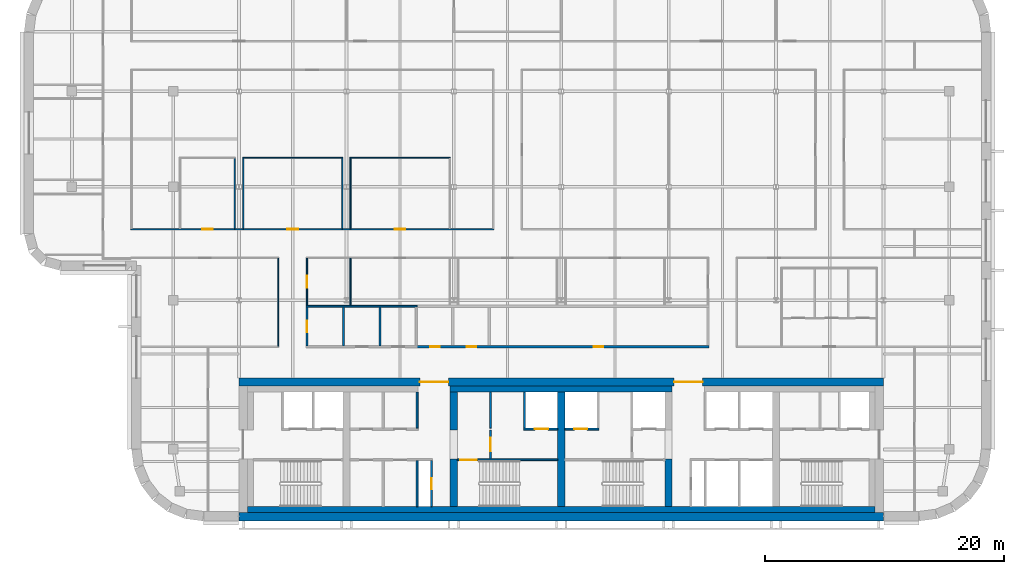
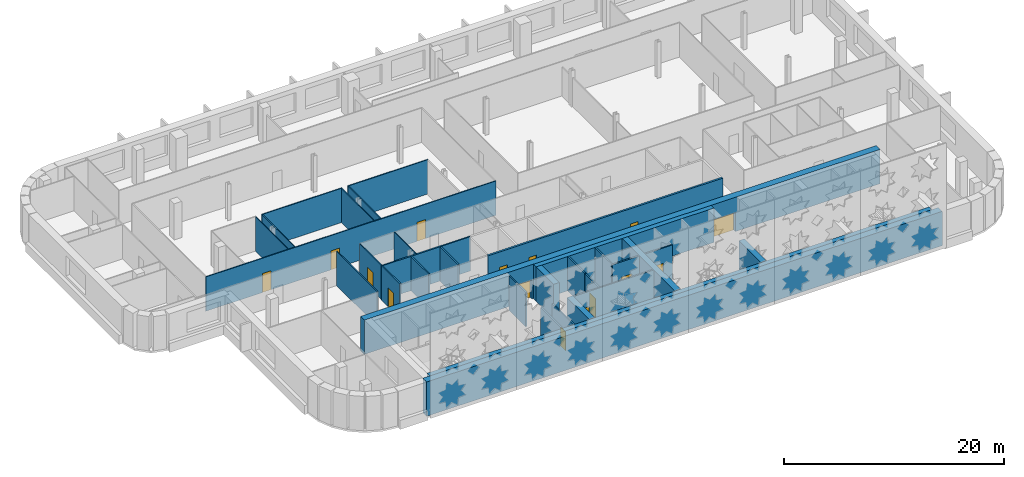
# One storey, part 8 of 18: 32 walls, 15 doors, 15 openings.
"""IFC4 building model written with IfcOpenShell, lengths in metres."""

from ifc_helpers import new_model, si_unit, direction, frame, frame_2d, origin, place, context, subcontext, project, spatial, rectangle, extrude, material, layer, layer_set, type_object, element, fill, save


model = new_model("IFC4")

# Units and contexts
model_context = context("Model", 3, precision=1e-05, world=origin(), true_north=direction((0.0, 1.0)))
body_context = subcontext(model_context, "Body", "Model", "MODEL_VIEW")
ifc_project = project(units=[si_unit("LENGTHUNIT", "METRE"), si_unit("AREAUNIT", "SQUARE_METRE"), si_unit("VOLUMEUNIT", "CUBIC_METRE"), si_unit("PLANEANGLEUNIT", "RADIAN"), si_unit("MASSUNIT", "GRAM", prefix="KILO")], contexts=[model_context])

# Site, building, storey
site_placement = place(None, origin())
site = spatial("IfcSite", under=ifc_project, at=site_placement, CompositionType="ELEMENT")
building_placement = place(site_placement, origin())
building = spatial("IfcBuilding", under=site, at=building_placement, Name="Zellij Exchange Tower", CompositionType="ELEMENT")
storey_placement = place(building_placement, frame((0.0, 0.0, 228.5)))
storey = spatial("IfcBuildingStorey", under=building, at=storey_placement, Name="L53", CompositionType="ELEMENT", Elevation=228.5)

# Walls
ifc_material_1 = material(Name="Concrete C50/60", Category="concrete")
ifc_layer_1 = layer(ifc_material_1, 0.60009765625)
ifc_layer_set_1 = layer_set([ifc_layer_1], Name="Concrete C50/60")
wall_type_1 = type_object("IfcWallType", Name="CORE-CW 600 C50/60", PredefinedType="SHEAR", material=ifc_layer_set_1)
wall_1_placement = place(storey_placement, frame((-9.0, -12.800048828125, 0.0), z_axis=(0.0, 0.0, 1.0), x_axis=(0.0, 1.0, 0.0)))
element("IfcWall", 1, at=wall_1_placement, inside=storey, type_object=wall_type_1, Name="Core cross wall pier x -9 a L53", PredefinedType="SHEAR", context=body_context, shape_type="SweptSolid", body=[
    extrude(rectangle(XDim=4.0, YDim=0.60009765625, at=frame_2d((2.0, 0.0))), origin(), (0.0, 0.0, 1.0), 3.800048828125),
])
wall_2_placement = place(storey_placement, frame((-9.0, -6.375, 0.0), z_axis=(0.0, 0.0, 1.0), x_axis=(0.0, 1.0, 0.0)))
element("IfcWall", 2, at=wall_2_placement, inside=storey, type_object=wall_type_1, Name="Core cross wall pier x -9 b L53", PredefinedType="SHEAR", context=body_context, shape_type="SweptSolid", body=[
    extrude(rectangle(XDim=3.175048828125, YDim=0.60009765625, at=frame_2d((1.58740234375, 0.0))), origin(), (0.0, 0.0, 1.0), 3.800048828125),
])
wall_3_placement = place(storey_placement, frame((0.0, -12.800048828125, 0.0), z_axis=(0.0, 0.0, 1.0), x_axis=(0.0, 1.0, 0.0)))
element("IfcWall", 3, at=wall_3_placement, inside=storey, type_object=wall_type_1, Name="Core cross wall x 0 L53", PredefinedType="SHEAR", context=body_context, shape_type="SweptSolid", body=[
    extrude(rectangle(XDim=9.60009765625, YDim=0.60009765625, at=frame_2d((4.800048828125, 0.0))), origin(), (0.0, 0.0, 1.0), 3.800048828125),
])
wall_4_placement = place(storey_placement, frame((9.0, -12.800048828125, 0.0), z_axis=(0.0, 0.0, 1.0), x_axis=(0.0, 1.0, 0.0)))
element("IfcWall", 4, at=wall_4_placement, inside=storey, type_object=wall_type_1, Name="Core cross wall pier x 9 a L53", PredefinedType="SHEAR", context=body_context, shape_type="SweptSolid", body=[
    extrude(rectangle(XDim=4.0, YDim=0.60009765625, at=frame_2d((2.0, 0.0))), origin(), (0.0, 0.0, 1.0), 3.800048828125),
])
ifc_material_2 = material(Name="Concrete C30/37", Category="concrete")
ifc_layer_2 = layer(ifc_material_2, 0.5)
ifc_layer_set_2 = layer_set([ifc_layer_2], Name="Concrete C30/37")
wall_type_2 = type_object("IfcWallType", Name="CORE-LW 500 C30/37", PredefinedType="SHEAR", material=ifc_layer_set_2)
wall_5_placement = place(storey_placement, frame((-9.300048828125, -2.949951171875, 0.0), z_axis=(0.0, 0.0, 1.0), x_axis=(1.0, 0.0, 0.0)))
element("IfcWall", 5, at=wall_5_placement, inside=storey, type_object=wall_type_2, Name="Core wall lining front.1 L53", PredefinedType="SHEAR", context=body_context, shape_type="SweptSolid", body=[
    extrude(rectangle(XDim=18.60009765625, YDim=0.5, at=frame_2d((9.300048828125, 0.0))), origin(), (0.0, 0.0, 1.0), 3.800048828125),
])
wall_6_placement = place(storey_placement, frame((-26.300048828125, -13.050048828125, 0.0), z_axis=(0.0, 0.0, 1.0), x_axis=(1.0, 0.0, 0.0)))
element("IfcWall", 6, at=wall_6_placement, inside=storey, type_object=wall_type_2, Name="Core wall lining rear.0 L53", PredefinedType="SHEAR", context=body_context, shape_type="SweptSolid", body=[
    extrude(rectangle(XDim=52.60009765625, YDim=0.5, at=frame_2d((26.300048828125, 0.0))), origin(), (0.0, 0.0, 1.0), 3.800048828125),
])

# Wall, opening, door
ifc_material_3 = material(Name="Gypsum shaft wall system")
ifc_layer_3 = layer(ifc_material_3, 0.14990234375)
ifc_layer_set_3 = layer_set([ifc_layer_3], Name="Gypsum shaft wall system")
wall_type_3 = type_object("IfcWallType", Name="CORE-PW 150 Firefighting lobby wall", PredefinedType="PARTITIONING", material=ifc_layer_set_3)
wall_7_placement = place(storey_placement, frame((-5.925048828125, -8.800048828125, 0.0), z_axis=(0.0, 0.0, 1.0), x_axis=(0.0, 1.0, 0.0)))
wall_7 = element("IfcWall", 7, at=wall_7_placement, inside=storey, type_object=wall_type_3, Name="Firefighting lobby wall L53", PredefinedType="PARTITIONING", context=body_context, shape_type="SweptSolid", body=[
    extrude(rectangle(XDim=2.425048828125, YDim=0.14990234375, at=frame_2d((1.21240234375, 0.0))), origin(), (0.0, 0.0, 1.0), 3.800048828125),
])
opening_1_placement = place(wall_7_placement, frame((0.662109375, 0.0, 0.0)))
opening_1 = element("IfcOpeningElement", 8, at=opening_1_placement, cuts=wall_7, Name="Opening CA-28.12", PredefinedType="OPENING", context=body_context, shape_type="SweptSolid", body=[
    extrude(rectangle(XDim=1.10009765625, YDim=2.10009765625, at=frame_2d((0.550048828125, 1.050048828125))), frame((0.0, 0.0869140625, 0.0), z_axis=(0.0, -1.0, 0.0), x_axis=(1.0, 0.0, 0.0)), (0.0, 0.0, 1.0), 0.173828125),
])
ifc_material_4 = material(Name="Hollow metal fire door")
door_type_1 = type_object("IfcDoorType", Name="CORE-D F Firefighting lobby door 1100x2100 1 HR", OperationType="NOTDEFINED", PredefinedType="DOOR", material=ifc_material_4)
door_1_placement = place(opening_1_placement, origin())
door_1 = element("IfcDoor", 9, at=door_1_placement, inside=storey, type_object=door_type_1, Name="Firefighting lobby door CA-28.12", OperationType="SINGLE_SWING_LEFT", OverallHeight=2.10009765625, OverallWidth=1.10009765625, PredefinedType="DOOR", context=body_context, shape_type="SweptSolid", body=[
    extrude(rectangle(XDim=1.10009765625, YDim=2.10009765625, at=frame_2d((0.550048828125, 1.050048828125))), frame((0.0, 0.02490234375, 0.0), z_axis=(0.0, -1.0, 0.0), x_axis=(1.0, 0.0, 0.0)), (0.0, 0.0, 1.0), 0.050048828125),
])
fill(opening_1, door_1)

# Walls
ifc_material_5 = material(Name="Gypsum board partition")
ifc_layer_4 = layer(ifc_material_5, 0.14990234375)
ifc_layer_set_4 = layer_set([ifc_layer_4], Name="Gypsum board partition")
wall_type_4 = type_object("IfcWallType", Name="CORE-PW 150 Lift lobby wall", PredefinedType="PARTITIONING", material=ifc_layer_set_4)
for number, where, z_axis, x_axis, name in (
    (10, (-12.074951171875, -6.22509765625, 0.0), (0.0, 0.0, 1.0), (0.0, 1.0, 0.0), "Lift lobby wall L53"),
    (11, (-5.925048828125, -6.22509765625, 0.0), (0.0, 0.0, 1.0), (0.0, 1.0, 0.0), "Lift lobby wall L53"),
):
    element("IfcWall", number, at=place(storey_placement, frame(where, z_axis=z_axis, x_axis=x_axis)), inside=storey, type_object=wall_type_4, Name=name, PredefinedType="PARTITIONING", context=body_context, shape_type="SweptSolid", body=[
        extrude(rectangle(XDim=3.025146484375, YDim=0.14990234375, at=frame_2d((1.5126953125, 0.0))), origin(), (0.0, 0.0, 1.0), 3.800048828125),
    ])

# Wall, opening, door
wall_8_placement = place(storey_placement, frame((-10.875, -12.800048828125, 0.0), z_axis=(0.0, 0.0, 1.0), x_axis=(0.0, 1.0, 0.0)))
wall_8 = element("IfcWall", 12, at=wall_8_placement, inside=storey, type_object=wall_type_4, Name="Lift lobby wall L53", PredefinedType="PARTITIONING", context=body_context, shape_type="SweptSolid", body=[
    extrude(rectangle(XDim=3.85009765625, YDim=0.14990234375, at=frame_2d((1.925048828125, 0.0))), origin(), (0.0, 0.0, 1.0), 3.800048828125),
])
opening_2_placement = place(wall_8_placement, frame((1.47509765625, 0.0, 0.0)))
opening_2 = element("IfcOpeningElement", 13, at=opening_2_placement, cuts=wall_8, Name="Opening CA-28.09", PredefinedType="OPENING", context=body_context, shape_type="SweptSolid", body=[
    extrude(rectangle(XDim=0.89990234375, YDim=2.10009765625, at=frame_2d((0.449951171875, 1.050048828125))), frame((0.0, 0.0869140625, 0.0), z_axis=(0.0, -1.0, 0.0), x_axis=(1.0, 0.0, 0.0)), (0.0, 0.0, 1.0), 0.173828125),
])
door_type_2 = type_object("IfcDoorType", Name="CORE-D RD Riser door 900x2100 1.5 HR", OperationType="NOTDEFINED", PredefinedType="DOOR", material=ifc_material_4)
door_2_placement = place(opening_2_placement, origin())
door_2 = element("IfcDoor", 14, at=door_2_placement, inside=storey, type_object=door_type_2, Name="Riser door CA-28.09", OperationType="SINGLE_SWING_RIGHT", OverallHeight=2.10009765625, OverallWidth=0.89990234375, PredefinedType="DOOR", context=body_context, shape_type="SweptSolid", body=[
    extrude(rectangle(XDim=0.89990234375, YDim=2.10009765625, at=frame_2d((0.449951171875, 1.050048828125))), frame((0.0, 0.02490234375, 0.0), z_axis=(0.0, -1.0, 0.0), x_axis=(1.0, 0.0, 0.0)), (0.0, 0.0, 1.0), 0.050048828125),
])
fill(opening_2, door_2)

# Walls
wall_9_placement = place(storey_placement, frame((-12.074951171875, -12.800048828125, 0.0), z_axis=(0.0, 0.0, 1.0), x_axis=(0.0, 1.0, 0.0)))
element("IfcWall", 15, at=wall_9_placement, inside=storey, type_object=wall_type_4, Name="Lift lobby wall L53", PredefinedType="PARTITIONING", context=body_context, shape_type="SweptSolid", body=[
    extrude(rectangle(XDim=3.85009765625, YDim=0.14990234375, at=frame_2d((1.925048828125, 0.0))), origin(), (0.0, 0.0, 1.0), 3.800048828125),
])
ifc_layer_5 = layer(ifc_material_3, 0.14990234375)
ifc_layer_set_5 = layer_set([ifc_layer_5], Name="Gypsum shaft wall system")
wall_type_5 = type_object("IfcWallType", Name="CORE-PW 150 Lift shaft wall", PredefinedType="PARTITIONING", material=ifc_layer_set_5)
wall_10_placement = place(storey_placement, frame((-3.074951171875, -6.22509765625, 0.0), z_axis=(0.0, 0.0, 1.0), x_axis=(0.0, 1.0, 0.0)))
element("IfcWall", 16, at=wall_10_placement, inside=storey, type_object=wall_type_5, Name="Lift shaft wall L53", PredefinedType="PARTITIONING", context=body_context, shape_type="SweptSolid", body=[
    extrude(rectangle(XDim=3.025146484375, YDim=0.14990234375, at=frame_2d((1.5126953125, 0.0))), origin(), (0.0, 0.0, 1.0), 3.800048828125),
])

# Wall, opening, door
wall_11_placement = place(storey_placement, frame((-3.14990234375, -6.300048828125, 0.0), z_axis=(0.0, 0.0, 1.0), x_axis=(1.0, 0.0, 0.0)))
wall_11 = element("IfcWall", 17, at=wall_11_placement, inside=storey, type_object=wall_type_5, Name="Lift shaft wall L53", PredefinedType="PARTITIONING", context=body_context, shape_type="SweptSolid", body=[
    extrude(rectangle(XDim=2.849853515625, YDim=0.14990234375, at=frame_2d((1.4248046875, 0.0))), origin(), (0.0, 0.0, 1.0), 3.800048828125),
])
opening_3_placement = place(wall_11_placement, frame((0.949951171875, 0.0, 0.0)))
opening_3 = element("IfcOpeningElement", 18, at=opening_3_placement, cuts=wall_11, Name="Opening CA-28.13", PredefinedType="OPENING", context=body_context, shape_type="SweptSolid", body=[
    extrude(rectangle(XDim=1.10009765625, YDim=2.10009765625, at=frame_2d((0.550048828125, 1.050048828125))), frame((0.0, 0.0869140625, 0.0), z_axis=(0.0, -1.0, 0.0), x_axis=(1.0, 0.0, 0.0)), (0.0, 0.0, 1.0), 0.173828125),
])
door_type_3 = type_object("IfcDoorType", Name="CORE-D LD Lift landing door 1100x2100 1.5 HR", OperationType="NOTDEFINED", PredefinedType="DOOR", material=ifc_material_4)
door_3_placement = place(opening_3_placement, origin())
door_3 = element("IfcDoor", 19, at=door_3_placement, inside=storey, type_object=door_type_3, Name="Lift landing door CA-28.13", OperationType="SLIDING_TO_LEFT", OverallHeight=2.10009765625, OverallWidth=1.10009765625, PredefinedType="DOOR", context=body_context, shape_type="SweptSolid", body=[
    extrude(rectangle(XDim=1.10009765625, YDim=2.10009765625, at=frame_2d((0.550048828125, 1.050048828125))), frame((0.0, 0.02490234375, 0.0), z_axis=(0.0, -1.0, 0.0), x_axis=(1.0, 0.0, 0.0)), (0.0, 0.0, 1.0), 0.050048828125),
])
fill(opening_3, door_3)

wall_12_placement = place(storey_placement, frame((0.300048828125, -6.300048828125, 0.0), z_axis=(0.0, 0.0, 1.0), x_axis=(1.0, 0.0, 0.0)))
wall_12 = element("IfcWall", 20, at=wall_12_placement, inside=storey, type_object=wall_type_5, Name="Lift shaft wall L53", PredefinedType="PARTITIONING", context=body_context, shape_type="SweptSolid", body=[
    extrude(rectangle(XDim=2.849853515625, YDim=0.14990234375, at=frame_2d((1.4248046875, 0.0))), origin(), (0.0, 0.0, 1.0), 3.800048828125),
])
opening_4_placement = place(wall_12_placement, frame((0.800048828125, 0.0, 0.0)))
opening_4 = element("IfcOpeningElement", 21, at=opening_4_placement, cuts=wall_12, Name="Opening CA-28.14", PredefinedType="OPENING", context=body_context, shape_type="SweptSolid", body=[
    extrude(rectangle(XDim=1.10009765625, YDim=2.10009765625, at=frame_2d((0.550048828125, 1.050048828125))), frame((0.0, 0.0869140625, 0.0), z_axis=(0.0, -1.0, 0.0), x_axis=(1.0, 0.0, 0.0)), (0.0, 0.0, 1.0), 0.173828125),
])
door_4_placement = place(opening_4_placement, origin())
door_4 = element("IfcDoor", 22, at=door_4_placement, inside=storey, type_object=door_type_3, Name="Lift landing door CA-28.14", OperationType="SLIDING_TO_RIGHT", OverallHeight=2.10009765625, OverallWidth=1.10009765625, PredefinedType="DOOR", context=body_context, shape_type="SweptSolid", body=[
    extrude(rectangle(XDim=1.10009765625, YDim=2.10009765625, at=frame_2d((0.550048828125, 1.050048828125))), frame((0.0, 0.02490234375, 0.0), z_axis=(0.0, -1.0, 0.0), x_axis=(1.0, 0.0, 0.0)), (0.0, 0.0, 1.0), 0.050048828125),
])
fill(opening_4, door_4)

# Wall, openings, doors
ifc_layer_6 = layer(ifc_material_1, 0.699951171875)
ifc_layer_set_6 = layer_set([ifc_layer_6], Name="Concrete C50/60")
wall_type_6 = type_object("IfcWallType", Name="CORE-SW 700 C50/60", PredefinedType="SHEAR", material=ifc_layer_set_6)
wall_13_placement = place(storey_placement, frame((-27.0, -2.35009765625, 0.0), z_axis=(0.0, 0.0, 1.0), x_axis=(1.0, 0.0, 0.0)))
wall_13 = element("IfcWall", 23, at=wall_13_placement, inside=storey, type_object=wall_type_6, Name="Core shear wall front L53", PredefinedType="SHEAR", context=body_context, shape_type="SweptSolid", body=[
    extrude(rectangle(XDim=54.0, YDim=0.699951171875, at=frame_2d((27.0, 0.0))), origin(), (0.0, 0.0, 1.0), 3.800048828125),
])
opening_5_placement = place(wall_13_placement, frame((15.14990234375, 0.0, 0.0)))
opening_5 = element("IfcOpeningElement", 24, at=opening_5_placement, cuts=wall_13, Name="Opening CA-28.10", PredefinedType="OPENING", context=body_context, shape_type="SweptSolid", body=[
    extrude(rectangle(XDim=2.39990234375, YDim=2.10009765625, at=frame_2d((1.199951171875, 1.050048828125))), frame((0.0, 0.36181640625, 0.0), z_axis=(0.0, -1.0, 0.0), x_axis=(1.0, 0.0, 0.0)), (0.0, 0.0, 1.0), 0.723876953125),
])
opening_6_placement = place(wall_13_placement, frame((36.449951171875, 0.0, 0.0)))
opening_6 = element("IfcOpeningElement", 25, at=opening_6_placement, cuts=wall_13, Name="Opening CA-28.18", PredefinedType="OPENING", context=body_context, shape_type="SweptSolid", body=[
    extrude(rectangle(XDim=2.39990234375, YDim=2.10009765625, at=frame_2d((1.199951171875, 1.050048828125))), frame((0.0, 0.36181640625, 0.0), z_axis=(0.0, -1.0, 0.0), x_axis=(1.0, 0.0, 0.0)), (0.0, 0.0, 1.0), 0.723876953125),
])
door_type_4 = type_object("IfcDoorType", Name="CORE-D CE Core entrance door 2400x2100 20 MIN", OperationType="NOTDEFINED", PredefinedType="DOOR", material=ifc_material_4)
door_5_placement = place(opening_5_placement, origin())
door_5 = element("IfcDoor", 26, at=door_5_placement, inside=storey, type_object=door_type_4, Name="Core entrance door CA-28.10", OperationType="DOUBLE_DOOR_SINGLE_SWING", OverallHeight=2.10009765625, OverallWidth=2.39990234375, PredefinedType="DOOR", context=body_context, shape_type="SweptSolid", body=[
    extrude(rectangle(XDim=2.39990234375, YDim=2.10009765625, at=frame_2d((1.199951171875, 1.050048828125))), frame((0.0, 0.02490234375, 0.0), z_axis=(0.0, -1.0, 0.0), x_axis=(1.0, 0.0, 0.0)), (0.0, 0.0, 1.0), 0.050048828125),
])
fill(opening_5, door_5)
door_6_placement = place(opening_6_placement, origin())
door_6 = element("IfcDoor", 27, at=door_6_placement, inside=storey, type_object=door_type_4, Name="Core entrance door CA-28.18", OperationType="DOUBLE_DOOR_SINGLE_SWING", OverallHeight=2.10009765625, OverallWidth=2.39990234375, PredefinedType="DOOR", context=body_context, shape_type="SweptSolid", body=[
    extrude(rectangle(XDim=2.39990234375, YDim=2.10009765625, at=frame_2d((1.199951171875, 1.050048828125))), frame((0.0, 0.02490234375, 0.0), z_axis=(0.0, -1.0, 0.0), x_axis=(1.0, 0.0, 0.0)), (0.0, 0.0, 1.0), 0.050048828125),
])
fill(opening_6, door_6)

# Wall
wall_14_placement = place(storey_placement, frame((-27.0, -13.64990234375, 0.0), z_axis=(0.0, 0.0, 1.0), x_axis=(1.0, 0.0, 0.0)))
element("IfcWall", 28, at=wall_14_placement, inside=storey, type_object=wall_type_6, Name="Core shear wall rear L53", PredefinedType="SHEAR", context=body_context, shape_type="SweptSolid", body=[
    extrude(rectangle(XDim=54.0, YDim=0.699951171875, at=frame_2d((27.0, 0.0))), origin(), (0.0, 0.0, 1.0), 3.800048828125),
])

# Wall, opening, door
ifc_layer_7 = layer(ifc_material_1, 0.14990234375)
ifc_layer_set_7 = layer_set([ifc_layer_7], Name="Concrete C50/60")
wall_type_7 = type_object("IfcWallType", Name="CORE-SWS 150 C50/60", PredefinedType="SHEAR", material=ifc_layer_set_7)
wall_15_placement = place(storey_placement, frame((-8.699951171875, -8.875, 0.0), z_axis=(0.0, 0.0, 1.0), x_axis=(1.0, 0.0, 0.0)))
wall_15 = element("IfcWall", 29, at=wall_15_placement, inside=storey, type_object=wall_type_7, Name="Stair enclosure wall L53", PredefinedType="SHEAR", context=body_context, shape_type="SweptSolid", body=[
    extrude(rectangle(XDim=8.39990234375, YDim=0.14990234375, at=frame_2d((4.199951171875, 0.0))), origin(), (0.0, 0.0, 1.0), 3.800048828125),
])
opening_7_placement = place(wall_15_placement, frame((0.22509765625, 0.0, 0.0)))
opening_7 = element("IfcOpeningElement", 30, at=opening_7_placement, cuts=wall_15, Name="Opening CA-28.11", PredefinedType="OPENING", context=body_context, shape_type="SweptSolid", body=[
    extrude(rectangle(XDim=1.39990234375, YDim=2.10009765625, at=frame_2d((0.699951171875, 1.050048828125))), frame((0.0, 0.0869140625, 0.0), z_axis=(0.0, -1.0, 0.0), x_axis=(1.0, 0.0, 0.0)), (0.0, 0.0, 1.0), 0.173828125),
])
door_type_5 = type_object("IfcDoorType", Name="CORE-D SD Stair door 1400x2100 1.5 HR", OperationType="NOTDEFINED", PredefinedType="DOOR", material=ifc_material_4)
door_7_placement = place(opening_7_placement, origin())
door_7 = element("IfcDoor", 31, at=door_7_placement, inside=storey, type_object=door_type_5, Name="Stair door CA-28.11", OperationType="DOUBLE_DOOR_SINGLE_SWING", OverallHeight=2.10009765625, OverallWidth=1.39990234375, PredefinedType="DOOR", context=body_context, shape_type="SweptSolid", body=[
    extrude(rectangle(XDim=1.39990234375, YDim=2.10009765625, at=frame_2d((0.699951171875, 1.050048828125))), frame((0.0, 0.02490234375, 0.0), z_axis=(0.0, -1.0, 0.0), x_axis=(1.0, 0.0, 0.0)), (0.0, 0.0, 1.0), 0.050048828125),
])
fill(opening_7, door_7)

# Wall, openings, doors
ifc_material_6 = material(Name="Blockwork partition", Category="masonry")
ifc_layer_8 = layer(ifc_material_6, 0.199951171875)
ifc_layer_set_8 = layer_set([ifc_layer_8], Name="Blockwork partition")
wall_type_8 = type_object("IfcWallType", Name="FIT-BLOCKWORK-200", PredefinedType="PARTITIONING", material=ifc_layer_set_8)
wall_16_placement = place(storey_placement, frame((-12.215087890625, 0.60009765625, 0.0), z_axis=(0.0, 0.0, 1.0), x_axis=(1.0, 0.0, 0.0)))
wall_16 = element("IfcWall", 32, at=wall_16_placement, inside=storey, type_object=wall_type_8, Name="FIT-BLOCKWORK-200 010", PredefinedType="PARTITIONING", context=body_context, shape_type="SweptSolid", body=[
    extrude(rectangle(XDim=24.614990234375, YDim=0.199951171875, at=frame_2d((12.3076171875, 0.0))), origin(), (0.0, 0.0, 1.0), 3.800048828125),
])
opening_8_placement = place(wall_16_placement, frame((1.22900390625, 0.0, 0.0)))
opening_8 = element("IfcOpeningElement", 33, at=opening_8_placement, cuts=wall_16, Name="Opening O4B.05", PredefinedType="OPENING", context=body_context, shape_type="SweptSolid", body=[
    extrude(rectangle(XDim=0.800048828125, YDim=2.10009765625, at=frame_2d((0.39990234375, 1.050048828125))), frame((0.0, 0.11181640625, 0.0), z_axis=(0.0, -1.0, 0.0), x_axis=(1.0, 0.0, 0.0)), (0.0, 0.0, 1.0), 0.223876953125),
])
opening_9_placement = place(wall_16_placement, frame((4.282958984375, 0.0, 0.0)))
opening_9 = element("IfcOpeningElement", 34, at=opening_9_placement, cuts=wall_16, Name="Opening O4B.06", PredefinedType="OPENING", context=body_context, shape_type="SweptSolid", body=[
    extrude(rectangle(XDim=0.800048828125, YDim=2.10009765625, at=frame_2d((0.39990234375, 1.050048828125))), frame((0.0, 0.11181640625, 0.0), z_axis=(0.0, -1.0, 0.0), x_axis=(1.0, 0.0, 0.0)), (0.0, 0.0, 1.0), 0.223876953125),
])
opening_10_placement = place(wall_16_placement, frame((14.93798828125, 0.0, 0.0)))
opening_10 = element("IfcOpeningElement", 35, at=opening_10_placement, cuts=wall_16, Name="Opening O4B.07", PredefinedType="OPENING", context=body_context, shape_type="SweptSolid", body=[
    extrude(rectangle(XDim=0.800048828125, YDim=2.10009765625, at=frame_2d((0.39990234375, 1.050048828125))), frame((0.0, 0.11181640625, 0.0), z_axis=(0.0, -1.0, 0.0), x_axis=(1.0, 0.0, 0.0)), (0.0, 0.0, 1.0), 0.223876953125),
])
ifc_material_7 = material(Name="Timber door set", Category="wood")
door_type_6 = type_object("IfcDoorType", Name="FIT-D6-SERVICE-800X2100", OperationType="SINGLE_SWING_LEFT", PredefinedType="DOOR", material=ifc_material_7)
door_8_placement = place(opening_8_placement, origin())
door_8 = element("IfcDoor", 36, at=door_8_placement, inside=storey, type_object=door_type_6, Name="Door O4B.05", OperationType="SINGLE_SWING_LEFT", OverallHeight=2.10009765625, OverallWidth=0.800048828125, PredefinedType="DOOR", context=body_context, shape_type="SweptSolid", body=[
    extrude(rectangle(XDim=0.800048828125, YDim=2.10009765625, at=frame_2d((0.39990234375, 1.050048828125))), frame((0.0, 0.02490234375, 0.0), z_axis=(0.0, -1.0, 0.0), x_axis=(1.0, 0.0, 0.0)), (0.0, 0.0, 1.0), 0.050048828125),
])
fill(opening_8, door_8)
door_9_placement = place(opening_9_placement, origin())
door_9 = element("IfcDoor", 37, at=door_9_placement, inside=storey, type_object=door_type_6, Name="Door O4B.06", OperationType="SINGLE_SWING_LEFT", OverallHeight=2.10009765625, OverallWidth=0.800048828125, PredefinedType="DOOR", context=body_context, shape_type="SweptSolid", body=[
    extrude(rectangle(XDim=0.800048828125, YDim=2.10009765625, at=frame_2d((0.39990234375, 1.050048828125))), frame((0.0, 0.02490234375, 0.0), z_axis=(0.0, -1.0, 0.0), x_axis=(1.0, 0.0, 0.0)), (0.0, 0.0, 1.0), 0.050048828125),
])
fill(opening_9, door_9)
door_10_placement = place(opening_10_placement, origin())
door_10 = element("IfcDoor", 38, at=door_10_placement, inside=storey, type_object=door_type_6, Name="Door O4B.07", OperationType="SINGLE_SWING_RIGHT", OverallHeight=2.10009765625, OverallWidth=0.800048828125, PredefinedType="DOOR", context=body_context, shape_type="SweptSolid", body=[
    extrude(rectangle(XDim=0.800048828125, YDim=2.10009765625, at=frame_2d((0.39990234375, 1.050048828125))), frame((0.0, 0.02490234375, 0.0), z_axis=(0.0, -1.0, 0.0), x_axis=(1.0, 0.0, 0.0)), (0.0, 0.0, 1.0), 0.050048828125),
])
fill(opening_10, door_10)

# Wall
ifc_material_8 = material(Name="Gypsum board partition on steel studs", Category="steel")
ifc_layer_9 = layer(ifc_material_8, 0.10009765625)
ifc_layer_set_9 = layer_set([ifc_layer_9], Name="Gypsum board partition on steel studs")
wall_type_9 = type_object("IfcWallType", Name="FIT-PARTITION-100", PredefinedType="PARTITIONING", material=ifc_layer_set_9)
wall_17_placement = place(storey_placement, frame((-23.699951171875, 0.64990234375, 0.0), z_axis=(0.0, 0.0, 1.0), x_axis=(0.0, 1.0, 0.0)))
element("IfcWall", 39, at=wall_17_placement, inside=storey, type_object=wall_type_9, Name="FIT-PARTITION-100 005", PredefinedType="PARTITIONING", context=body_context, shape_type="SweptSolid", body=[
    extrude(rectangle(XDim=7.35009765625, YDim=0.10009765625, at=frame_2d((3.675048828125, 0.0))), origin(), (0.0, 0.0, 1.0), 3.800048828125),
])

# Wall, opening, door
wall_18_placement = place(storey_placement, frame((-21.300048828125, 4.074951171875, 0.0), z_axis=(0.0, 0.0, 1.0), x_axis=(0.0, 1.0, 0.0)))
wall_18 = element("IfcWall", 40, at=wall_18_placement, inside=storey, type_object=wall_type_9, Name="FIT-PARTITION-100 023", PredefinedType="PARTITIONING", context=body_context, shape_type="SweptSolid", body=[
    extrude(rectangle(XDim=3.925048828125, YDim=0.10009765625, at=frame_2d((1.96240234375, 0.0))), origin(), (0.0, 0.0, 1.0), 3.800048828125),
])
opening_11_placement = place(wall_18_placement, frame((1.47509765625, 0.0, 0.0)))
opening_11 = element("IfcOpeningElement", 41, at=opening_11_placement, cuts=wall_18, Name="Opening O4B.13", PredefinedType="OPENING", context=body_context, shape_type="SweptSolid", body=[
    extrude(rectangle(XDim=1.0, YDim=2.10009765625, at=frame_2d((0.5, 1.050048828125))), frame((0.0, 0.06201171875, 0.0), z_axis=(0.0, -1.0, 0.0), x_axis=(1.0, 0.0, 0.0)), (0.0, 0.0, 1.0), 0.1240234375),
])
door_type_7 = type_object("IfcDoorType", Name="FIT-D2-WIDE-1000X2100", OperationType="SINGLE_SWING_LEFT", PredefinedType="DOOR", material=ifc_material_7)
door_11_placement = place(opening_11_placement, origin())
door_11 = element("IfcDoor", 42, at=door_11_placement, inside=storey, type_object=door_type_7, Name="Door O4B.13", OperationType="SINGLE_SWING_RIGHT", OverallHeight=2.10009765625, OverallWidth=1.0, PredefinedType="DOOR", context=body_context, shape_type="SweptSolid", body=[
    extrude(rectangle(XDim=1.0, YDim=2.10009765625, at=frame_2d((0.5, 1.050048828125))), frame((0.0, 0.02490234375, 0.0), z_axis=(0.0, -1.0, 0.0), x_axis=(1.0, 0.0, 0.0)), (0.0, 0.0, 1.0), 0.050048828125),
])
fill(opening_11, door_11)

# Wall
wall_19_placement = place(storey_placement, frame((-17.64990234375, 4.074951171875, 0.0), z_axis=(0.0, 0.0, 1.0), x_axis=(0.0, 1.0, 0.0)))
element("IfcWall", 43, at=wall_19_placement, inside=storey, type_object=wall_type_9, Name="FIT-PARTITION-100 024", PredefinedType="PARTITIONING", context=body_context, shape_type="SweptSolid", body=[
    extrude(rectangle(XDim=3.925048828125, YDim=0.10009765625, at=frame_2d((1.96240234375, 0.0))), origin(), (0.0, 0.0, 1.0), 3.800048828125),
])

# Wall, openings, doors
wall_20_placement = place(storey_placement, frame((-36.050048828125, 10.449951171875, 0.0), z_axis=(0.0, 0.0, 1.0), x_axis=(1.0, 0.0, 0.0)))
wall_20 = element("IfcWall", 44, at=wall_20_placement, inside=storey, type_object=wall_type_9, Name="FIT-PARTITION-100 040", PredefinedType="PARTITIONING", context=body_context, shape_type="SweptSolid", body=[
    extrude(rectangle(XDim=30.400146484375, YDim=0.10009765625, at=frame_2d((15.2001953125, 0.0))), origin(), (0.0, 0.0, 1.0), 3.800048828125),
])
opening_12_placement = place(wall_20_placement, frame((5.949951171875, 0.0, 0.0)))
opening_12 = element("IfcOpeningElement", 45, at=opening_12_placement, cuts=wall_20, Name="Opening O4B.20", PredefinedType="OPENING", context=body_context, shape_type="SweptSolid", body=[
    extrude(rectangle(XDim=0.89990234375, YDim=2.10009765625, at=frame_2d((0.449951171875, 1.050048828125))), frame((0.0, 0.06201171875, 0.0), z_axis=(0.0, -1.0, 0.0), x_axis=(1.0, 0.0, 0.0)), (0.0, 0.0, 1.0), 0.1240234375),
])
opening_13_placement = place(wall_20_placement, frame((13.10009765625, 0.0, 0.0)))
opening_13 = element("IfcOpeningElement", 46, at=opening_13_placement, cuts=wall_20, Name="Opening O4B.21", PredefinedType="OPENING", context=body_context, shape_type="SweptSolid", body=[
    extrude(rectangle(XDim=0.89990234375, YDim=2.10009765625, at=frame_2d((0.449951171875, 1.050048828125))), frame((0.0, 0.06201171875, 0.0), z_axis=(0.0, -1.0, 0.0), x_axis=(1.0, 0.0, 0.0)), (0.0, 0.0, 1.0), 0.1240234375),
])
opening_14_placement = place(wall_20_placement, frame((22.10009765625, 0.0, 0.0)))
opening_14 = element("IfcOpeningElement", 47, at=opening_14_placement, cuts=wall_20, Name="Opening O4B.22", PredefinedType="OPENING", context=body_context, shape_type="SweptSolid", body=[
    extrude(rectangle(XDim=0.89990234375, YDim=2.10009765625, at=frame_2d((0.449951171875, 1.050048828125))), frame((0.0, 0.06201171875, 0.0), z_axis=(0.0, -1.0, 0.0), x_axis=(1.0, 0.0, 0.0)), (0.0, 0.0, 1.0), 0.1240234375),
])
door_type_8 = type_object("IfcDoorType", Name="FIT-D1-ROOM-900X2100", OperationType="SINGLE_SWING_LEFT", PredefinedType="DOOR", material=ifc_material_7)
door_12_placement = place(opening_12_placement, origin())
door_12 = element("IfcDoor", 48, at=door_12_placement, inside=storey, type_object=door_type_8, Name="Door O4B.20", OperationType="SINGLE_SWING_LEFT", OverallHeight=2.10009765625, OverallWidth=0.89990234375, PredefinedType="DOOR", context=body_context, shape_type="SweptSolid", body=[
    extrude(rectangle(XDim=0.89990234375, YDim=2.10009765625, at=frame_2d((0.449951171875, 1.050048828125))), frame((0.0, 0.02490234375, 0.0), z_axis=(0.0, -1.0, 0.0), x_axis=(1.0, 0.0, 0.0)), (0.0, 0.0, 1.0), 0.050048828125),
])
fill(opening_12, door_12)
door_13_placement = place(opening_13_placement, origin())
door_13 = element("IfcDoor", 49, at=door_13_placement, inside=storey, type_object=door_type_8, Name="Door O4B.21", OperationType="SINGLE_SWING_RIGHT", OverallHeight=2.10009765625, OverallWidth=0.89990234375, PredefinedType="DOOR", context=body_context, shape_type="SweptSolid", body=[
    extrude(rectangle(XDim=0.89990234375, YDim=2.10009765625, at=frame_2d((0.449951171875, 1.050048828125))), frame((0.0, 0.02490234375, 0.0), z_axis=(0.0, -1.0, 0.0), x_axis=(1.0, 0.0, 0.0)), (0.0, 0.0, 1.0), 0.050048828125),
])
fill(opening_13, door_13)
door_14_placement = place(opening_14_placement, origin())
door_14 = element("IfcDoor", 50, at=door_14_placement, inside=storey, type_object=door_type_8, Name="Door O4B.22", OperationType="SINGLE_SWING_RIGHT", OverallHeight=2.10009765625, OverallWidth=0.89990234375, PredefinedType="DOOR", context=body_context, shape_type="SweptSolid", body=[
    extrude(rectangle(XDim=0.89990234375, YDim=2.10009765625, at=frame_2d((0.449951171875, 1.050048828125))), frame((0.0, 0.02490234375, 0.0), z_axis=(0.0, -1.0, 0.0), x_axis=(1.0, 0.0, 0.0)), (0.0, 0.0, 1.0), 0.050048828125),
])
fill(opening_14, door_14)

# Walls
for number, where, z_axis, x_axis, name in (
    (51, (-27.35009765625, 10.5, 0.0), (0.0, 0.0, 1.0), (0.0, 1.0, 0.0), "FIT-PARTITION-100 043"),
    (52, (-26.64990234375, 10.5, 0.0), (0.0, 0.0, 1.0), (0.0, 1.0, 0.0), "FIT-PARTITION-100 044"),
    (53, (-18.35009765625, 10.5, 0.0), (0.0, 0.0, 1.0), (0.0, 1.0, 0.0), "FIT-PARTITION-100 045"),
    (54, (-17.64990234375, 10.5, 0.0), (0.0, 0.0, 1.0), (0.0, 1.0, 0.0), "FIT-PARTITION-100 046"),
):
    element("IfcWall", number, at=place(storey_placement, frame(where, z_axis=z_axis, x_axis=x_axis)), inside=storey, type_object=wall_type_9, Name=name, PredefinedType="PARTITIONING", context=body_context, shape_type="SweptSolid", body=[
        extrude(rectangle(XDim=5.89990234375, YDim=0.10009765625, at=frame_2d((2.949951171875, 0.0))), origin(), (0.0, 0.0, 1.0), 3.800048828125),
    ])
for number, where, z_axis, x_axis, name in (
    (55, (-26.699951171875, 16.449951171875, 0.0), (0.0, 0.0, 1.0), (1.0, 0.0, 0.0), "FIT-PARTITION-100 060"),
    (56, (-17.699951171875, 16.449951171875, 0.0), (0.0, 0.0, 1.0), (1.0, 0.0, 0.0), "FIT-PARTITION-100 061"),
):
    element("IfcWall", number, at=place(storey_placement, frame(where, z_axis=z_axis, x_axis=x_axis)), inside=storey, type_object=wall_type_9, Name=name, PredefinedType="PARTITIONING", context=body_context, shape_type="SweptSolid", body=[
        extrude(rectangle(XDim=8.39990234375, YDim=0.10009765625, at=frame_2d((4.199951171875, 0.0))), origin(), (0.0, 0.0, 1.0), 3.800048828125),
    ])

# Wall, opening, door
ifc_material_9 = material(Name="Gypsum board shaft-wall partition", Category="gypsum")
ifc_layer_10 = layer(ifc_material_9, 0.14990234375)
ifc_layer_set_10 = layer_set([ifc_layer_10], Name="Gypsum board shaft-wall partition")
wall_type_10 = type_object("IfcWallType", Name="FIT-PARTITION-150-EI60", PredefinedType="PARTITIONING", material=ifc_layer_set_10)
wall_21_placement = place(storey_placement, frame((-21.300048828125, 0.675048828125, 0.0), z_axis=(0.0, 0.0, 1.0), x_axis=(0.0, 1.0, 0.0)))
wall_21 = element("IfcWall", 57, at=wall_21_placement, inside=storey, type_object=wall_type_10, Name="FIT-PARTITION-150-EI60 007", PredefinedType="PARTITIONING", context=body_context, shape_type="SweptSolid", body=[
    extrude(rectangle(XDim=3.25, YDim=0.14990234375, at=frame_2d((1.625, 0.0))), origin(), (0.0, 0.0, 1.0), 3.800048828125),
])
opening_15_placement = place(wall_21_placement, frame((1.125, 0.0, 0.0)))
opening_15 = element("IfcOpeningElement", 58, at=opening_15_placement, cuts=wall_21, Name="Opening O4B.09", PredefinedType="OPENING", context=body_context, shape_type="SweptSolid", body=[
    extrude(rectangle(XDim=1.0, YDim=2.10009765625, at=frame_2d((0.5, 1.050048828125))), frame((0.0, 0.0869140625, 0.0), z_axis=(0.0, -1.0, 0.0), x_axis=(1.0, 0.0, 0.0)), (0.0, 0.0, 1.0), 0.173828125),
])
ifc_material_10 = material(Name="Steel fire door set", Category="steel")
door_type_9 = type_object("IfcDoorType", Name="FIT-D4-FIRE-1000X2100", OperationType="SINGLE_SWING_LEFT", PredefinedType="DOOR", material=ifc_material_10)
door_15_placement = place(opening_15_placement, origin())
door_15 = element("IfcDoor", 59, at=door_15_placement, inside=storey, type_object=door_type_9, Name="Door O4B.09", OperationType="SINGLE_SWING_RIGHT", OverallHeight=2.10009765625, OverallWidth=1.0, PredefinedType="DOOR", context=body_context, shape_type="SweptSolid", body=[
    extrude(rectangle(XDim=1.0, YDim=2.10009765625, at=frame_2d((0.5, 1.050048828125))), frame((0.0, 0.02490234375, 0.0), z_axis=(0.0, -1.0, 0.0), x_axis=(1.0, 0.0, 0.0)), (0.0, 0.0, 1.0), 0.050048828125),
])
fill(opening_15, door_15)

# Walls
for number, where, z_axis, x_axis, name in (
    (60, (-18.239990234375, 0.675048828125, 0.0), (0.0, 0.0, 1.0), (0.0, 1.0, 0.0), "FIT-PARTITION-150-EI60 008"),
    (61, (-15.18994140625, 0.675048828125, 0.0), (0.0, 0.0, 1.0), (0.0, 1.0, 0.0), "FIT-PARTITION-150-EI60 009"),
):
    element("IfcWall", number, at=place(storey_placement, frame(where, z_axis=z_axis, x_axis=x_axis)), inside=storey, type_object=wall_type_10, Name=name, PredefinedType="PARTITIONING", context=body_context, shape_type="SweptSolid", body=[
        extrude(rectangle(XDim=3.25, YDim=0.14990234375, at=frame_2d((1.625, 0.0))), origin(), (0.0, 0.0, 1.0), 3.800048828125),
    ])
wall_22_placement = place(storey_placement, frame((-21.375, 4.0, 0.0), z_axis=(0.0, 0.0, 1.0), x_axis=(1.0, 0.0, 0.0)))
element("IfcWall", 62, at=wall_22_placement, inside=storey, type_object=wall_type_10, Name="FIT-PARTITION-150-EI60 022", PredefinedType="PARTITIONING", context=body_context, shape_type="SweptSolid", body=[
    extrude(rectangle(XDim=9.31005859375, YDim=0.14990234375, at=frame_2d((4.655029296875, 0.0))), origin(), (0.0, 0.0, 1.0), 3.800048828125),
])

save(model, "model.ifc")
